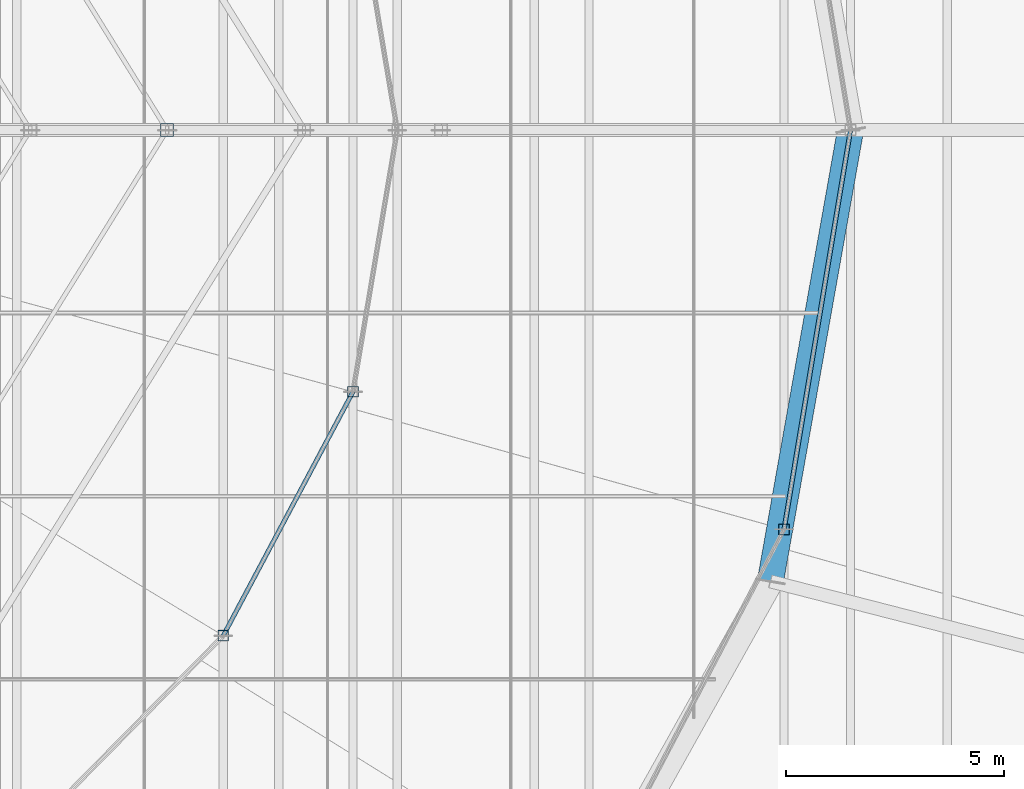
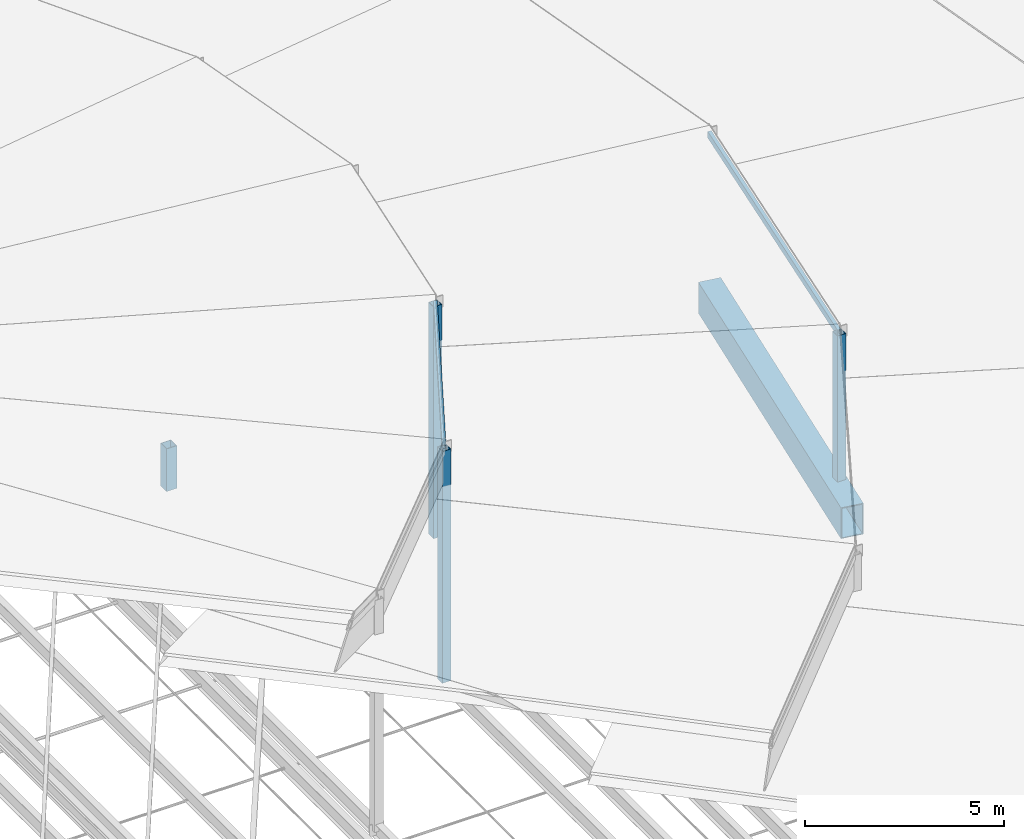
# One storey, part 89 of 184: 6 members, 1 beam.
"""IFC4 building model written with IfcOpenShell, lengths in metres."""

from ifc_helpers import new_model, si_unit, direction, frame, origin, origin_2d, place, context, subcontext, project, spatial, hollow_rectangle, extrude, material, material_profile, profile_set, type_object, element, save


model = new_model("IFC4")

# Units and contexts
model_context = context("Model", 3, precision=1e-05, world=origin(), true_north=direction((0.0, 1.0)))
body_context = subcontext(model_context, "Body", "Model", "MODEL_VIEW")
ifc_project = project(units=[si_unit("LENGTHUNIT", "METRE"), si_unit("AREAUNIT", "SQUARE_METRE"), si_unit("VOLUMEUNIT", "CUBIC_METRE"), si_unit("PLANEANGLEUNIT", "RADIAN"), si_unit("MASSUNIT", "GRAM", prefix="KILO")], contexts=[model_context])

# Site, building, storey
site_placement = place(None, origin())
site = spatial("IfcSite", under=ifc_project, at=site_placement, CompositionType="ELEMENT")
building_placement = place(site_placement, origin())
building = spatial("IfcBuilding", under=site, at=building_placement, Name="Kalgoora Escarpment Arena", CompositionType="ELEMENT")
storey_placement = place(building_placement, frame((0.0, 0.0, 27.60009765625)))
storey = spatial("IfcBuildingStorey", under=building, at=storey_placement, Name="Roof Level", CompositionType="ELEMENT", Elevation=27.60009765625)

# Beam
ifc_material_1 = material(Name="Structural steel Grade 350 (350 MPa)", Category="steel")
ifc_material_profile_1 = material_profile(ifc_material_1, hollow_rectangle(XDim=0.60009765625, YDim=0.949951171875, WallThickness=0.02490234375, at=origin_2d()))
ifc_profile_set_1 = profile_set([ifc_material_profile_1], Name="Structural steel Grade 350 (350 MPa)")
beam_type = type_object("IfcBeamType", Name="BM-RING-BOX950", PredefinedType="USERDEFINED", material=ifc_profile_set_1)
beam_placement = place(storey_placement, frame((144.56005859375, 53.647216796875, -1.25), z_axis=(0.174973315738, 0.984573175939, 0.0), x_axis=(-0.984573175939, 0.174973315738, 0.0)))
element("IfcBeam", 1, at=beam_placement, inside=storey, type_object=beam_type, Name="Bowl compression RING BEAM chord 24", ObjectType="GIRDER", PredefinedType="USERDEFINED", context=body_context, shape_type="SweptSolid", body=[
    extrude(hollow_rectangle(XDim=0.60009765625, YDim=0.949951171875, WallThickness=0.02490234375, at=origin_2d()), origin(), (0.0, 0.0, 1.0), 10.514892578125),
])

# Members
ifc_material_2 = material(Name="Structural steel C450 (450 MPa)", Category="steel")
ifc_material_profile_2 = material_profile(ifc_material_2, hollow_rectangle(XDim=0.25, YDim=0.25, WallThickness=0.012451171875, at=origin_2d()))
ifc_profile_set_2 = profile_set([ifc_material_profile_2], Name="Structural steel C450 (450 MPa)")
member_type_1 = type_object("IfcMemberType", Name="MEM-PETAL-POST", PredefinedType="POST", material=ifc_profile_set_2)
member_1_placement = place(storey_placement, frame((144.87353515625, 54.837890625, -1.02001953125), z_axis=(0.0, 0.0, 1.0), x_axis=(1.0, 0.0, 0.0)))
element("IfcMember", 2, at=member_1_placement, inside=storey, type_object=member_type_1, Name="Petal RP3 vertical support post S24", PredefinedType="POST", context=body_context, shape_type="SweptSolid", body=[
    extrude(hollow_rectangle(XDim=0.25, YDim=0.25, WallThickness=0.012451171875, at=origin_2d()), origin(), (0.0, 0.0, 1.0), 4.724853515625),
])
for number, where, z_axis, x_axis, name in (
    (3, (132.007568359375, 52.39990234375, -0.960205078125), (0.0, 0.0, 1.0), (1.0, 0.0, 0.0), "Petal RP4 vertical support post S23"),
    (4, (134.984619140625, 57.995361328125, -0.960205078125), (0.0, 0.0, 1.0), (1.0, 0.0, 0.0), "Petal RP4 vertical support post S24"),
):
    element("IfcMember", number, at=place(storey_placement, frame(where, z_axis=z_axis, x_axis=x_axis)), inside=storey, type_object=member_type_1, Name=name, PredefinedType="POST", context=body_context, shape_type="SweptSolid", body=[
        extrude(hollow_rectangle(XDim=0.25, YDim=0.25, WallThickness=0.012451171875, at=origin_2d()), origin(), (0.0, 0.0, 1.0), 7.105224609375),
    ])
ifc_material_3 = material(Name="Structural steel C350 (350 MPa)", Category="steel")
ifc_material_profile_3 = material_profile(ifc_material_3, hollow_rectangle(XDim=0.10009765625, YDim=0.199951171875, WallThickness=0.009033203125, at=origin_2d()))
ifc_profile_set_3 = profile_set([ifc_material_profile_3], Name="Structural steel C350 (350 MPa)")
member_type_2 = type_object("IfcMemberType", Name="MEM-PURLIN-RHS", PredefinedType="PURLIN", material=ifc_profile_set_3)
member_2_placement = place(storey_placement, frame((144.87353515625, 54.837890625, 3.684814453125), z_axis=(0.164330789251, 0.986405287751, 0.0), x_axis=(-0.986405287751, 0.164330789251, 0.0)))
element("IfcMember", 5, at=member_2_placement, inside=storey, type_object=member_type_2, Name="Petal RP3 eave support ring purlin S24", PredefinedType="PURLIN", context=body_context, shape_type="SweptSolid", body=[
    extrude(hollow_rectangle(XDim=0.10009765625, YDim=0.199951171875, WallThickness=0.009033203125, at=origin_2d()), origin(), (0.0, 0.0, 1.0), 9.288330078125),
])
member_3_placement = place(storey_placement, frame((132.007568359375, 52.39990234375, 6.125), z_axis=(0.469704321277, 0.882823793616, 0.0), x_axis=(-0.882823793616, 0.469704321277, 0.0)))
element("IfcMember", 6, at=member_3_placement, inside=storey, type_object=member_type_2, Name="Petal RP4 eave support ring purlin S23", PredefinedType="PURLIN", context=body_context, shape_type="SweptSolid", body=[
    extrude(hollow_rectangle(XDim=0.10009765625, YDim=0.199951171875, WallThickness=0.009033203125, at=origin_2d()), origin(), (0.0, 0.0, 1.0), 6.338134765625),
])
ifc_material_4 = material(Name="Structural steel C450 (450 MPa)", Category="steel")
ifc_material_profile_4 = material_profile(ifc_material_4, hollow_rectangle(XDim=0.300048828125, YDim=0.300048828125, WallThickness=0.012451171875, at=origin_2d()))
ifc_profile_set_4 = profile_set([ifc_material_profile_4], Name="Structural steel C450 (450 MPa)")
member_type_3 = type_object("IfcMemberType", Name="MEM-TRUSS-POST", PredefinedType="POST", material=ifc_profile_set_4)
member_4_placement = place(storey_placement, frame((130.719970703125, 64.0, -1.64013671875), z_axis=(0.0, 0.0, 1.0), x_axis=(-1.0, 0.0, 0.0)))
element("IfcMember", 7, at=member_4_placement, inside=storey, type_object=member_type_3, Name="Radial ROOF TRUSS spine 1 post 3", PredefinedType="POST", context=body_context, shape_type="SweptSolid", body=[
    extrude(hollow_rectangle(XDim=0.300048828125, YDim=0.300048828125, WallThickness=0.012451171875, at=origin_2d()), origin(), (0.0, 0.0, 1.0), 1.31005859375),
])

save(model, "model.ifc")
